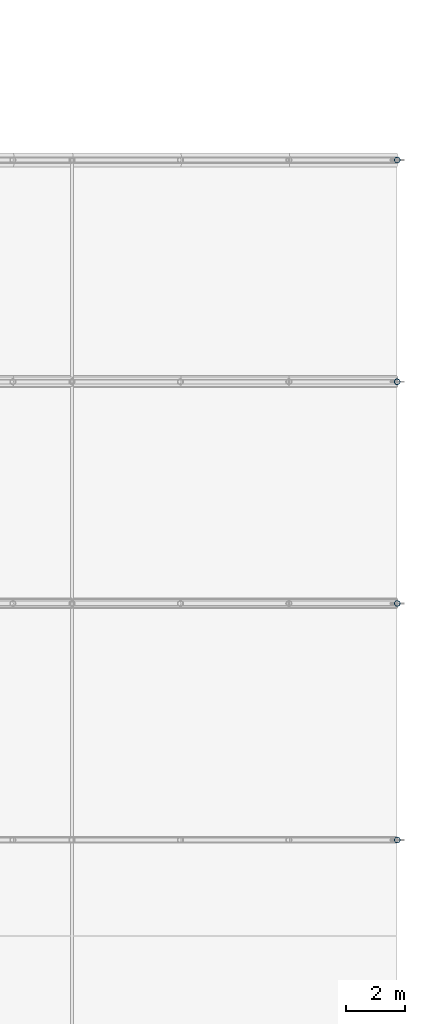
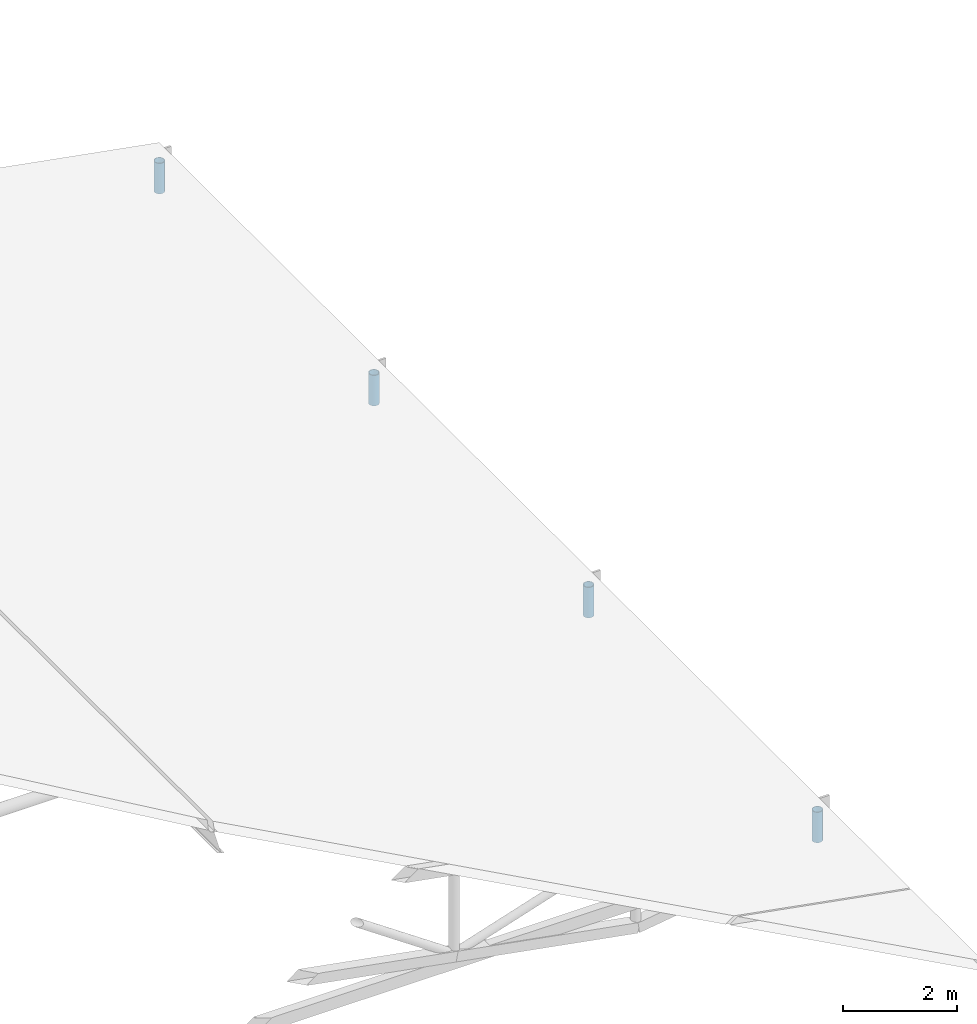
# One storey, part 24 of 28: 4 members.
"""IFC4 building model written with IfcOpenShell, lengths in metres."""

import ifcopenshell
import ifcopenshell.guid

model = None  # the IFC model being written
_history = None  # IfcOwnerHistory: only IFC2X3 demands one
_inside = {}  # id of a spatial element -> (the spatial element, [elements in it])
_under = {}  # id of a project, library or spatial element -> (it, [spatial elements below it])
_declared = {}  # id of a project -> (the project, [libraries it declares])
_typed = {}  # id of a type object -> (the type object, [elements of that type])
_made_of = {}  # id of a material, layer set ... -> (it, [elements and type objects made of it])


def new_model(schema):
    """Start an empty IFC model of exactly this schema.

    Asked for "IFC4X3", IfcOpenShell would pick the latest addendum, in which some entities
    have other attributes; the version numbers below select the first issue.
    IFC2X3 requires an IfcOwnerHistory on every rooted entity: one is made here for all.
    """
    global model, _history
    if schema == "IFC4X3":
        model = ifcopenshell.file(schema_version=(4, 3, 0, 0))
    else:
        model = ifcopenshell.file(schema=schema)
    _inside.clear()
    _under.clear()
    _declared.clear()
    _typed.clear()
    _made_of.clear()
    _history = None
    if model.schema == "IFC2X3":
        org = make("IfcOrganization", Name="unknown")
        user = make(
            "IfcPersonAndOrganization",
            ThePerson=make("IfcPerson", FamilyName="unknown"),
            TheOrganization=org,
        )
        app = make(
            "IfcApplication",
            ApplicationDeveloper=org,
            Version="unknown",
            ApplicationFullName="unknown",
            ApplicationIdentifier="unknown",
        )
        _history = make(
            "IfcOwnerHistory",
            OwningUser=user,
            OwningApplication=app,
            ChangeAction="ADDED",
            CreationDate=0,
        )
    return model


def make(cls, **values):
    """One entity of the class cls with the attributes given. An attribute that is None is left unset."""
    return model.create_entity(
        cls, **{name: value for name, value in values.items() if value is not None}
    )


def rooted(cls, **values):
    """An entity with a GlobalId (a new one), such as an element, a storey or a relation."""
    return make(cls, GlobalId=ifcopenshell.guid.new(), OwnerHistory=_history, **values)


def si_unit(unit_type, name, prefix=None):
    """IfcSIUnit, for example si_unit("LENGTHUNIT", "METRE", prefix="MILLI")."""
    return make("IfcSIUnit", UnitType=unit_type, Prefix=prefix, Name=name)


def assignment(units):
    """IfcUnitAssignment: the units of a project."""
    return None if units is None else make("IfcUnitAssignment", Units=units)


def point(xyz):
    """IfcCartesianPoint."""
    return None if xyz is None else make("IfcCartesianPoint", Coordinates=xyz)


def direction(xyz):
    """IfcDirection."""
    return None if xyz is None else make("IfcDirection", DirectionRatios=xyz)


def frame(location, z_axis=None, x_axis=None):
    """IfcAxis2Placement3D, a coordinate frame: its origin and axes. An axis left out is left unset."""
    return make(
        "IfcAxis2Placement3D",
        Location=point(location),
        Axis=direction(z_axis),
        RefDirection=direction(x_axis),
    )


def frame_2d(location, x_axis=None):
    """IfcAxis2Placement2D, a coordinate frame in the plane: its origin and x axis."""
    return make(
        "IfcAxis2Placement2D", Location=point(location), RefDirection=direction(x_axis)
    )


def origin():
    """The frame at (0, 0, 0) with its axes left unset."""
    return frame((0.0, 0.0, 0.0))


def origin_2d():
    """The frame at (0, 0) in the plane with its x axis left unset."""
    return frame_2d((0.0, 0.0))


def place(relative_to, where):
    """IfcLocalPlacement: puts the frame where relative to a parent placement (None: the world)."""
    return make(
        "IfcLocalPlacement", PlacementRelTo=relative_to, RelativePlacement=where
    )


def context(
    kind, dimensions, precision=None, world=None, true_north=None, identifier=None
):
    """IfcGeometricRepresentationContext, for example the 3D "Model" context."""
    return make(
        "IfcGeometricRepresentationContext",
        ContextIdentifier=identifier,
        ContextType=kind,
        CoordinateSpaceDimension=dimensions,
        Precision=precision,
        WorldCoordinateSystem=world,
        TrueNorth=true_north,
    )


def subcontext(parent, identifier, kind, view, scale=None):
    """IfcGeometricRepresentationSubContext, for example "Body" below "Model"."""
    return make(
        "IfcGeometricRepresentationSubContext",
        ContextIdentifier=identifier,
        ContextType=kind,
        ParentContext=parent,
        TargetScale=scale,
        TargetView=view,
    )


def project(units=None, contexts=None):
    """IfcProject with its units and contexts."""
    return rooted(
        "IfcProject",
        Name="project",
        RepresentationContexts=contexts,
        UnitsInContext=assignment(units),
    )


def spatial(cls, under=None, at=None, **own):
    """A site, building, storey or space (cls), placed at a placement, below another one or the project."""
    s = rooted(cls, ObjectPlacement=at, **own)
    if under is not None:
        _under.setdefault(under.id(), (under, []))[1].append(s)
    return s


def profile(cls, at=None, kind="AREA", **sizes):
    """A parametric profile (cls). Its sizes go by their IFC names, for example OverallWidth=200.0."""
    return make(cls, ProfileType=kind, Position=at, **sizes)


def hollow_circle(**sizes):
    """IfcCircleHollowProfileDef."""
    return profile("IfcCircleHollowProfileDef", **sizes)


def extrude(swept, where, along, depth):
    """IfcExtrudedAreaSolid: the profile swept, set in the frame where, extruded along a direction by depth."""
    return make(
        "IfcExtrudedAreaSolid",
        SweptArea=swept,
        Position=where,
        ExtrudedDirection=direction(along),
        Depth=depth,
    )


def shape(context_of_items, identifier, shape_type, items):
    """IfcShapeRepresentation: the items that make up one representation, for example the "Body"."""
    return make(
        "IfcShapeRepresentation",
        ContextOfItems=context_of_items,
        RepresentationIdentifier=identifier,
        RepresentationType=shape_type,
        Items=items,
    )


def material(Name=None, Category=None):
    """IfcMaterial."""
    return make("IfcMaterial", Name=Name, Category=Category)


def material_profile(
    of_material, cross_section, Name=None, Category=None, Priority=None
):
    """IfcMaterialProfile: a cross section and its material."""
    return make(
        "IfcMaterialProfile",
        Name=Name,
        Material=of_material,
        Profile=cross_section,
        Priority=Priority,
        Category=Category,
    )


def profile_set(profiles, Name=None, composite=None):
    """IfcMaterialProfileSet."""
    return make(
        "IfcMaterialProfileSet",
        Name=Name,
        MaterialProfiles=profiles,
        CompositeProfile=composite,
    )


def made_of(thing, what):
    """Note that an element or type object is made of a material, layer set ...; save() writes the relation."""
    if what is not None:
        _made_of.setdefault(what.id(), (what, []))[1].append(thing)
    return thing


def type_object(cls, material=None, **own):
    """A type object (cls), such as IfcWallType, which elements share."""
    return made_of(rooted(cls, **own), material)


def element(
    cls,
    number,
    at=None,
    inside=None,
    cuts=None,
    type_object=None,
    material=None,
    context=None,
    identifier="Body",
    shape_type=None,
    held_by="IfcProductDefinitionShape",
    body=None,
    shapes=None,
    **own,
):
    """One element of the class cls, such as IfcWall. Its Tag is "e" and its number.

    at: its placement. inside: the storey or other place that contains it. cuts: it is an
    opening in that element (IfcRelVoidsElement). A single representation is given by context,
    identifier, shape_type and body (its items); several are given by shapes. held_by: the class
    of the entity that holds the representations. save() writes the other relations.
    """
    e = rooted(cls, Tag="e%d" % number, ObjectPlacement=at, **own)
    if body is not None:
        shapes = [shape(context, identifier, shape_type, body)]
    if shapes is not None:
        e.Representation = make(held_by, Representations=shapes)
    if inside is not None:
        _inside.setdefault(inside.id(), (inside, []))[1].append(e)
    if cuts is not None:
        rooted(
            "IfcRelVoidsElement", RelatingBuildingElement=cuts, RelatedOpeningElement=e
        )
    if type_object is not None:
        _typed.setdefault(type_object.id(), (type_object, []))[1].append(e)
    return made_of(e, material)


def aggregate(whole, parts):
    """IfcRelAggregates: a whole, such as a stair, and the parts it consists of."""
    return rooted("IfcRelAggregates", RelatingObject=whole, RelatedObjects=parts)


def save(model, path):
    """Write the relations noted so far, then the file.

    IfcRelAggregates (storeys below a building ...), IfcRelContainedInSpatialStructure (elements
    in a storey), IfcRelDefinesByType, IfcRelAssociatesMaterial and IfcRelDeclares: one each for
    every whole, place, type object, material and project.
    """
    for whole, parts in _under.values():
        aggregate(whole, parts)
    for where, things in _inside.values():
        rooted(
            "IfcRelContainedInSpatialStructure",
            RelatedElements=things,
            RelatingStructure=where,
        )
    for kind, things in _typed.values():
        rooted("IfcRelDefinesByType", RelatedObjects=things, RelatingType=kind)
    for what, things in _made_of.values():
        rooted("IfcRelAssociatesMaterial", RelatedObjects=things, RelatingMaterial=what)
    for by, libraries in _declared.values():
        rooted("IfcRelDeclares", RelatingContext=by, RelatedDefinitions=libraries)
    model.write(path)


model = new_model("IFC4")

# Units and contexts
model_context = context("Model", 3, precision=1e-05, world=origin(), true_north=direction((0.0, 1.0)))
body_context = subcontext(model_context, "Body", "Model", "MODEL_VIEW")
ifc_project = project(units=[si_unit("LENGTHUNIT", "METRE"), si_unit("AREAUNIT", "SQUARE_METRE"), si_unit("VOLUMEUNIT", "CUBIC_METRE"), si_unit("PLANEANGLEUNIT", "RADIAN"), si_unit("MASSUNIT", "GRAM", prefix="KILO"), si_unit("THERMODYNAMICTEMPERATUREUNIT", "KELVIN"), si_unit("POWERUNIT", "WATT")], contexts=[model_context])

# Site, building, storey
site_placement = place(None, origin())
site = spatial("IfcSite", under=ifc_project, at=site_placement, CompositionType="ELEMENT")
building_placement = place(site_placement, origin())
building = spatial("IfcBuilding", under=site, at=building_placement, Name="Tepalcoro Natatorium and Aquatics Centre", CompositionType="ELEMENT")
storey_placement = place(building_placement, frame((0.0, 0.0, 23.199951171875)))
storey = spatial("IfcBuildingStorey", under=building, at=storey_placement, Name="RF", CompositionType="ELEMENT", Elevation=23.199951171875)

# Members
ifc_material = material(Name="Terracotta Painted Hollow Steel ASTM A500 Grade C (Fy 345 MPa)", Category="masonry")
ifc_material_profile = material_profile(ifc_material, hollow_circle(Radius=0.096923828125, WallThickness=0.010009765625, at=origin_2d()), Name="CHS194X10")
ifc_profile_set = profile_set([ifc_material_profile], Name="Terracotta Painted Hollow Steel ASTM A500 Grade C (Fy 345 MPa)")
member_type = type_object("IfcMemberType", Name="MB_PS_CHS194x10", PredefinedType="POST", material=ifc_profile_set)
for number, where, z_axis, x_axis, name in (
    (1, (176.0, 36.0, -4.238037109375), (0.0, 0.0, 1.0), (1.0, 0.0, 0.0), "V2 Barrel-Arch Post 5"),
    (2, (176.0, 44.0, -4.291015625), (0.0, 0.0, 1.0), (1.0, 0.0, 0.0), "V2 Barrel-Arch Post 6"),
):
    element("IfcMember", number, at=place(storey_placement, frame(where, z_axis=z_axis, x_axis=x_axis)), inside=storey, type_object=member_type, Name=name, PredefinedType="POST", context=body_context, shape_type="SweptSolid", body=[
        extrude(hollow_circle(Radius=0.096923828125, WallThickness=0.010009765625, at=origin_2d()), origin(), (0.0, 0.0, 1.0), 0.650146484375),
    ])
member_1_placement = place(storey_placement, frame((176.0, 51.5, -4.31591796875), z_axis=(0.0, 0.0, 1.0), x_axis=(1.0, 0.0, 0.0)))
element("IfcMember", 3, at=member_1_placement, inside=storey, type_object=member_type, Name="V2 Barrel-Arch Post 7", PredefinedType="POST", context=body_context, shape_type="SweptSolid", body=[
    extrude(hollow_circle(Radius=0.096923828125, WallThickness=0.010009765625, at=origin_2d()), origin(), (0.0, 0.0, 1.0), 0.64990234375),
])
member_2_placement = place(storey_placement, frame((176.0, 59.0, -4.341552734375), z_axis=(0.0, 0.0, 1.0), x_axis=(1.0, 0.0, 0.0)))
element("IfcMember", 4, at=member_2_placement, inside=storey, type_object=member_type, Name="V2 Barrel-Arch Post 8", PredefinedType="POST", context=body_context, shape_type="SweptSolid", body=[
    extrude(hollow_circle(Radius=0.096923828125, WallThickness=0.010009765625, at=origin_2d()), origin(), (0.0, 0.0, 1.0), 0.650146484375),
])

save(model, "model.ifc")
